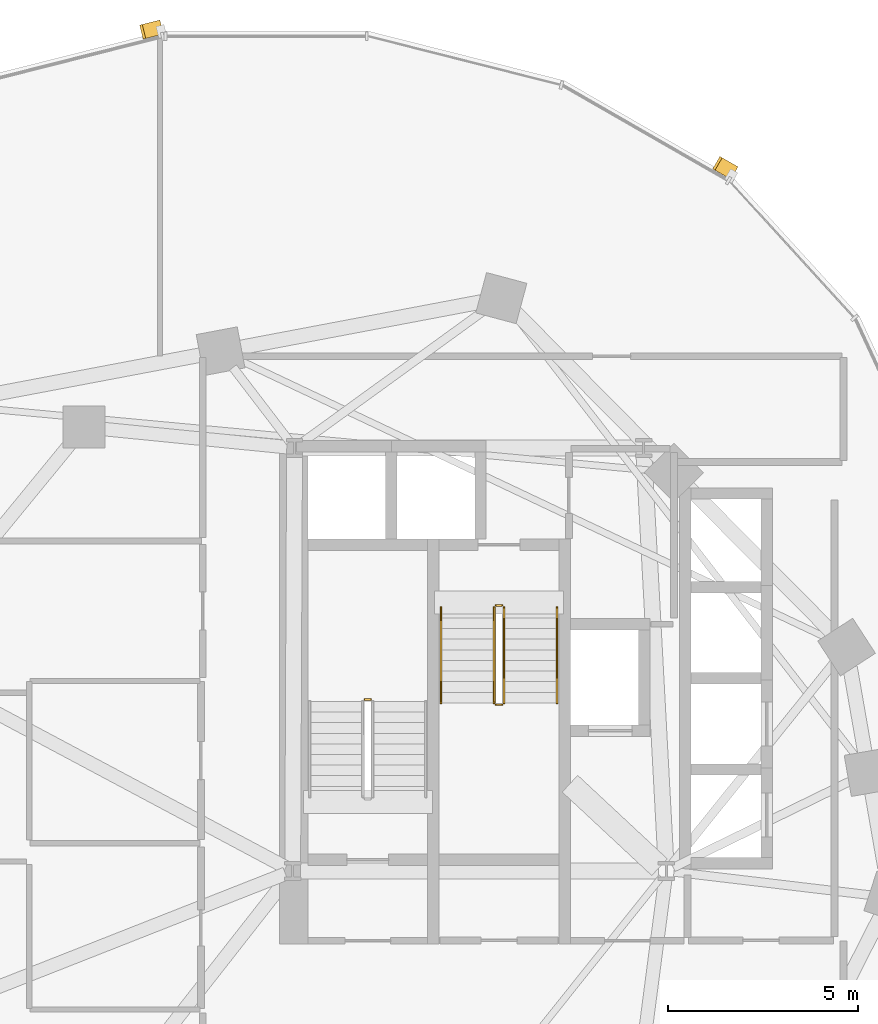
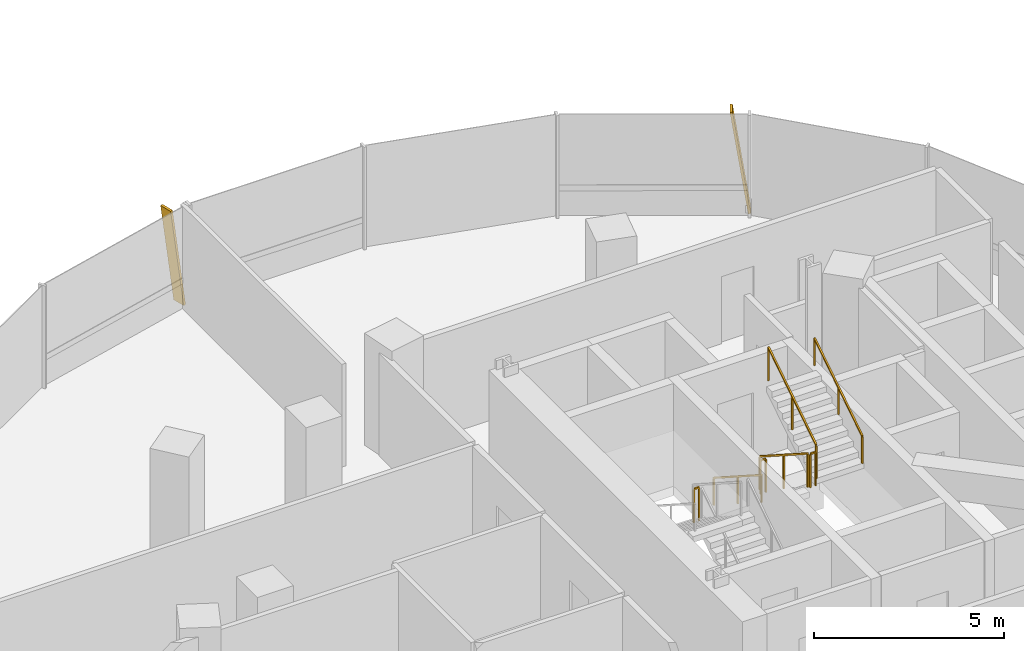
# One storey, part 19 of 21: 7 railings, 2 shading devices.
"""IFC4 building model written with IfcOpenShell, lengths in metres."""

from ifc_helpers import new_model, si_unit, direction, frame, origin, origin_2d, place, context, subcontext, project, spatial, rectangle, extrude, material, material_profile, profile_set, type_object, element, save


model = new_model("IFC4")

# Units and contexts
model_context = context("Model", 3, precision=1e-05, world=origin(), true_north=direction((0.0, 1.0)))
body_context = subcontext(model_context, "Body", "Model", "MODEL_VIEW")
ifc_project = project(units=[si_unit("LENGTHUNIT", "METRE"), si_unit("AREAUNIT", "SQUARE_METRE"), si_unit("VOLUMEUNIT", "CUBIC_METRE"), si_unit("PLANEANGLEUNIT", "RADIAN"), si_unit("MASSUNIT", "GRAM", prefix="KILO"), si_unit("THERMODYNAMICTEMPERATUREUNIT", "KELVIN"), si_unit("POWERUNIT", "WATT")], contexts=[model_context])

# Site, building, storey
site_placement = place(None, origin())
site = spatial("IfcSite", under=ifc_project, at=site_placement, CompositionType="ELEMENT")
building_placement = place(site_placement, origin())
building = spatial("IfcBuilding", under=site, at=building_placement, Name="Cundina Bronze Exchange", CompositionType="ELEMENT")
storey_placement = place(building_placement, frame((0.0, 0.0, 110.60009765625)))
storey = spatial("IfcBuildingStorey", under=building, at=storey_placement, Name="L28", CompositionType="ELEMENT", Elevation=110.60009765625)

# Railings
ifc_material_1 = material(Name="Steel ASTM A36 Painted", Category="steel")
railing_type_1 = type_object("IfcRailingType", Name="RLG-HND-900", PredefinedType="HANDRAIL", material=ifc_material_1)
railing_1_placement = place(storey_placement, frame((-27.389892578125, 10.85009765625, 0.179931640625)))
element("IfcRailing", 1, at=railing_1_placement, inside=storey, type_object=railing_type_1, Name="L28 ST-W2 stair handrail 1", PredefinedType="HANDRAIL", context=body_context, shape_type="SweptSolid", body=[
    extrude(rectangle(XDim=0.048095703125, YDim=0.048095703125, at=origin_2d()), frame((0.0, 0.0, 0.8759765625), z_axis=(0.0, -0.841199657755, 0.540724639528), x_axis=(1.0, 0.0, 0.0)), (0.0, 0.0, 1.0), 2.995849609375),
    extrude(rectangle(XDim=0.0419921875, YDim=0.0419921875, at=origin_2d()), origin(), (0.0, 0.0, 1.0), 0.851806640625),
    extrude(rectangle(XDim=0.0419921875, YDim=0.0419921875, at=origin_2d()), frame((0.0, -1.260009765625, 0.81005859375)), (0.0, 0.0, 1.0), 0.851806640625),
    extrude(rectangle(XDim=0.0419921875, YDim=0.0419921875, at=origin_2d()), frame((0.0, -2.52001953125, 1.619873046875)), (0.0, 0.0, 1.0), 0.851806640625),
])
railing_2_placement = place(storey_placement, frame((-24.330078125, 8.330078125, 1.97998046875)))
element("IfcRailing", 2, at=railing_2_placement, inside=storey, type_object=railing_type_1, Name="L28 ST-W2 stair handrail 2", PredefinedType="HANDRAIL", context=body_context, shape_type="SweptSolid", body=[
    extrude(rectangle(XDim=0.048095703125, YDim=0.048095703125, at=origin_2d()), frame((0.0, 0.0, 0.8759765625), z_axis=(0.0, 0.841199657755, 0.540724639528), x_axis=(-1.0, 0.0, 0.0)), (0.0, 0.0, 1.0), 2.995849609375),
    extrude(rectangle(XDim=0.0419921875, YDim=0.0419921875, at=origin_2d()), origin(), (0.0, 0.0, 1.0), 0.851806640625),
    extrude(rectangle(XDim=0.0419921875, YDim=0.0419921875, at=origin_2d()), frame((0.0, 1.260009765625, 0.81005859375)), (0.0, 0.0, 1.0), 0.851806640625),
    extrude(rectangle(XDim=0.0419921875, YDim=0.0419921875, at=origin_2d()), frame((0.0, 2.52001953125, 1.619873046875)), (0.0, 0.0, 1.0), 0.851806640625),
])
railing_type_2 = type_object("IfcRailingType", Name="RLG-STG-1100", PredefinedType="GUARDRAIL", material=ifc_material_1)
railing_3_placement = place(storey_placement, frame((-29.239990234375, 8.419921875, 1.7998046875)))
element("IfcRailing", 3, at=railing_3_placement, inside=storey, type_object=railing_type_2, Name="L28 ST-W1 stair guard 2", PredefinedType="GUARDRAIL", context=body_context, shape_type="SweptSolid", body=[
    extrude(rectangle(XDim=0.048095703125, YDim=0.048095703125, at=origin_2d()), frame((0.0, 0.0, 1.076171875), z_axis=(-1.0, 0.0, 0.0), x_axis=(0.0, -1.0, 0.0)), (0.0, 0.0, 1.0), 0.159912109375),
    extrude(rectangle(XDim=0.0419921875, YDim=0.0419921875, at=origin_2d()), origin(), (0.0, 0.0, 1.0), 1.052001953125),
    extrude(rectangle(XDim=0.0419921875, YDim=0.0419921875, at=origin_2d()), frame((-0.159912109375, 0.0, 0.0)), (0.0, 0.0, 1.0), 1.052001953125),
])
railing_4_placement = place(storey_placement, frame((-25.989990234375, 10.85009765625, 0.179931640625)))
element("IfcRailing", 4, at=railing_4_placement, inside=storey, type_object=railing_type_2, Name="L28 ST-W2 stair guard 1", PredefinedType="GUARDRAIL", context=body_context, shape_type="SweptSolid", body=[
    extrude(rectangle(XDim=0.048095703125, YDim=0.048095703125, at=origin_2d()), frame((0.0, 0.0, 1.076171875), z_axis=(0.0, -0.841199657755, 0.540724639528), x_axis=(1.0, 0.0, 0.0)), (0.0, 0.0, 1.0), 2.995849609375),
    extrude(rectangle(XDim=0.0419921875, YDim=0.0419921875, at=origin_2d()), origin(), (0.0, 0.0, 1.0), 1.052001953125),
    extrude(rectangle(XDim=0.0419921875, YDim=0.0419921875, at=origin_2d()), frame((0.0, -1.260009765625, 0.81005859375)), (0.0, 0.0, 1.0), 1.052001953125),
    extrude(rectangle(XDim=0.0419921875, YDim=0.0419921875, at=origin_2d()), frame((0.0, -2.52001953125, 1.619873046875)), (0.0, 0.0, 1.0), 1.052001953125),
])
railing_5_placement = place(storey_placement, frame((-25.93994140625, 8.280029296875, 1.7998046875)))
element("IfcRailing", 5, at=railing_5_placement, inside=storey, type_object=railing_type_2, Name="L28 ST-W2 stair guard 2", PredefinedType="GUARDRAIL", context=body_context, shape_type="SweptSolid", body=[
    extrude(rectangle(XDim=0.048095703125, YDim=0.048095703125, at=origin_2d()), frame((0.0, 0.0, 1.076171875), z_axis=(1.0, 0.0, 0.0), x_axis=(0.0, 1.0, 0.0)), (0.0, 0.0, 1.0), 0.159912109375),
    extrude(rectangle(XDim=0.0419921875, YDim=0.0419921875, at=origin_2d()), origin(), (0.0, 0.0, 1.0), 1.052001953125),
    extrude(rectangle(XDim=0.0419921875, YDim=0.0419921875, at=origin_2d()), frame((0.159912109375, 0.0, 0.0)), (0.0, 0.0, 1.0), 1.052001953125),
])
railing_6_placement = place(storey_placement, frame((-25.72998046875, 8.330078125, 1.97998046875)))
element("IfcRailing", 6, at=railing_6_placement, inside=storey, type_object=railing_type_2, Name="L28 ST-W2 stair guard 3", PredefinedType="GUARDRAIL", context=body_context, shape_type="SweptSolid", body=[
    extrude(rectangle(XDim=0.048095703125, YDim=0.048095703125, at=origin_2d()), frame((0.0, 0.0, 1.076171875), z_axis=(0.0, 0.841199657755, 0.540724639528), x_axis=(-1.0, 0.0, 0.0)), (0.0, 0.0, 1.0), 2.995849609375),
    extrude(rectangle(XDim=0.0419921875, YDim=0.0419921875, at=origin_2d()), origin(), (0.0, 0.0, 1.0), 1.052001953125),
    extrude(rectangle(XDim=0.0419921875, YDim=0.0419921875, at=origin_2d()), frame((0.0, 1.260009765625, 0.81005859375)), (0.0, 0.0, 1.0), 1.052001953125),
    extrude(rectangle(XDim=0.0419921875, YDim=0.0419921875, at=origin_2d()), frame((0.0, 2.52001953125, 1.619873046875)), (0.0, 0.0, 1.0), 1.052001953125),
])
railing_7_placement = place(storey_placement, frame((-25.93994140625, 10.89990234375, 0.0)))
element("IfcRailing", 7, at=railing_7_placement, inside=storey, type_object=railing_type_2, Name="L28 ST-W2 stair guard 4", PredefinedType="GUARDRAIL", context=body_context, shape_type="SweptSolid", body=[
    extrude(rectangle(XDim=0.048095703125, YDim=0.048095703125, at=origin_2d()), frame((0.0, 0.0, 1.076171875), z_axis=(1.0, 0.0, 0.0), x_axis=(0.0, 1.0, 0.0)), (0.0, 0.0, 1.0), 0.159912109375),
    extrude(rectangle(XDim=0.0419921875, YDim=0.0419921875, at=origin_2d()), origin(), (0.0, 0.0, 1.0), 1.052001953125),
    extrude(rectangle(XDim=0.0419921875, YDim=0.0419921875, at=origin_2d()), frame((0.159912109375, 0.0, 0.0)), (0.0, 0.0, 1.0), 1.052001953125),
])

# Shading devices
ifc_material_2 = material(Name="Anodised Bronze Aluminium 6063-T6", Category="aluminium")
ifc_material_profile = material_profile(ifc_material_2, rectangle(XDim=0.070068359375, YDim=0.3798828125, at=origin_2d()), Name="FIN70X380", Category="aluminium")
ifc_profile_set = profile_set([ifc_material_profile], Name="Anodised Bronze Aluminium 6063-T6")
shading_device_type = type_object("IfcShadingDeviceType", Name="SHD-FIN-BRZ380", PredefinedType="USERDEFINED", material=ifc_profile_set)
for number, where, z_axis, x_axis, name in (
    (8, (-19.685791015625, 22.314208984375, 0.02001953125), (-0.126333952546, 0.072540140494, 0.989331926328), (0.857956914638, -0.492633325179, 0.145678891912), "L28 Diagonal Bronze Solar Fin 5"),
    (9, (-34.787353515625, 26.138427734375, 0.02001953125), (-0.141227399308, -0.035714379048, 0.989332757374), (0.959138992792, 0.242552463025, 0.145673248011), "L28 Diagonal Bronze Solar Fin 1"),
):
    element("IfcShadingDevice", number, at=place(storey_placement, frame(where, z_axis=z_axis, x_axis=x_axis)), inside=storey, type_object=shading_device_type, Name=name, ObjectType="FIN", PredefinedType="USERDEFINED", context=body_context, shape_type="SweptSolid", body=[
        extrude(rectangle(XDim=0.070068359375, YDim=0.3798828125, at=origin_2d()), origin(), (0.0, 0.0, 1.0), 3.294921875),
    ])

save(model, "model.ifc")
